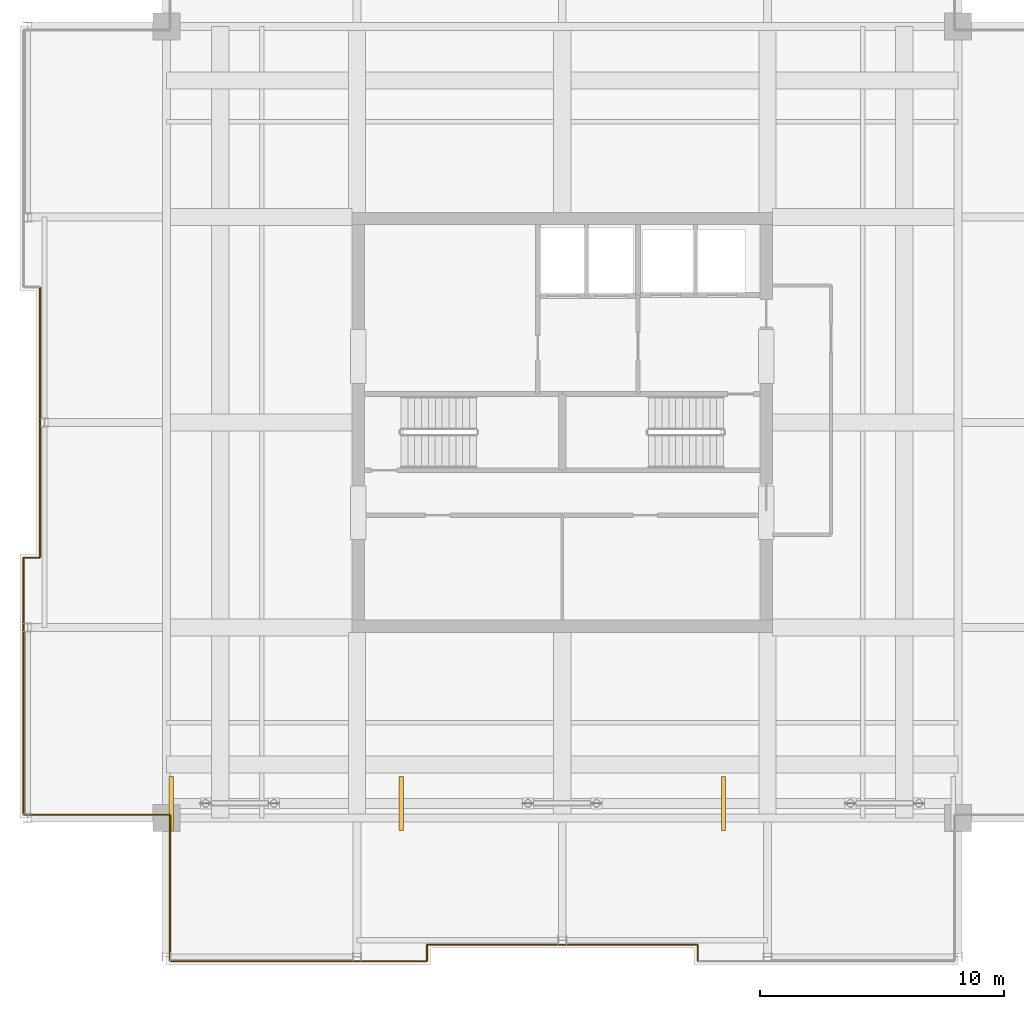
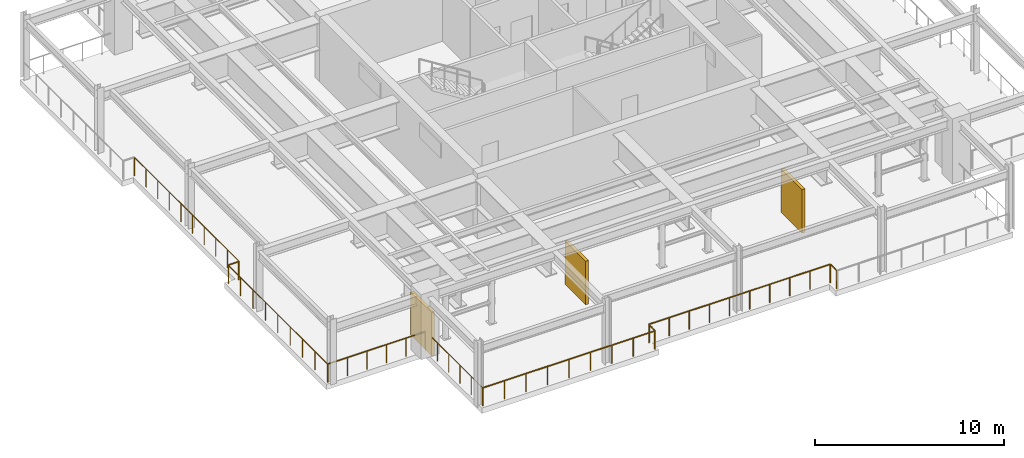
# One storey, part 10 of 12: 9 railings, 3 shading devices.
"""IFC4 building model written with IfcOpenShell, lengths in metres."""

from ifc_helpers import new_model, si_unit, direction, frame, origin, origin_2d, place, context, subcontext, project, spatial, rectangle, circle, extrude, material, layer, layer_set, type_object, element, save


model = new_model("IFC4")

# Units and contexts
model_context = context("Model", 3, precision=1e-05, world=origin(), true_north=direction((0.0, 1.0)))
body_context = subcontext(model_context, "Body", "Model", "MODEL_VIEW")
ifc_project = project(units=[si_unit("LENGTHUNIT", "METRE"), si_unit("AREAUNIT", "SQUARE_METRE"), si_unit("VOLUMEUNIT", "CUBIC_METRE"), si_unit("PLANEANGLEUNIT", "RADIAN"), si_unit("MASSUNIT", "GRAM", prefix="KILO")], contexts=[model_context])

# Site, building, storey
site_placement = place(None, origin())
site = spatial("IfcSite", under=ifc_project, at=site_placement, CompositionType="ELEMENT")
building_placement = place(site_placement, origin())
building = spatial("IfcBuilding", under=site, at=building_placement, Name="Drelvath Grand Hotel", CompositionType="ELEMENT")
storey_placement = place(building_placement, frame((0.0, 0.0, 307.199951171875)))
storey = spatial("IfcBuildingStorey", under=building, at=storey_placement, Name="L80", CompositionType="ELEMENT", Elevation=307.199951171875)

# Shading devices
ifc_material_1 = material(Name="Pale-Metal Anodised Aluminium Louvre", Category="aluminium")
ifc_layer = layer(ifc_material_1, 0.179931640625)
ifc_layer_set = layer_set([ifc_layer], Name="Pale-Metal Anodised Aluminium Louvre")
shading_device_type = type_object("IfcShadingDeviceType", Name="Mechanical Acoustic Weather Louvre Pale-Metal 180", PredefinedType="USERDEFINED", material=ifc_layer_set)
for number, where, z_axis, x_axis, name in (
    (1, (-16.0, 11.39990234375, 0.0), (0.0, 0.0, 1.0), (1.0, 0.0, 0.0), "L80 Wind-Turbine Acoustic Shroud Louvre 1"),
    (2, (-6.60009765625, 11.39990234375, 0.0), (0.0, 0.0, 1.0), (1.0, 0.0, 0.0), "L80 Wind-Turbine Acoustic Shroud Louvre 2"),
    (3, (6.60009765625, 11.39990234375, 0.0), (0.0, 0.0, 1.0), (1.0, 0.0, 0.0), "L80 Wind-Turbine Acoustic Shroud Louvre 3"),
):
    element("IfcShadingDevice", number, at=place(storey_placement, frame(where, z_axis=z_axis, x_axis=x_axis)), inside=storey, type_object=shading_device_type, Name=name, ObjectType="LOUVRE", PredefinedType="USERDEFINED", context=body_context, shape_type="SweptSolid", body=[
        extrude(rectangle(XDim=0.179931640625, YDim=2.199951171875, at=origin_2d()), origin(), (0.0, 0.0, 1.0), 2.800048828125),
    ])

# Railings
ifc_material_2 = material(Name="Stainless Steel Grade 316 Guardrail", Category="steel")
railing_type = type_object("IfcRailingType", Name="Open Wind-Slot Perimeter Guardrail 1200", PredefinedType="GUARDRAIL", material=ifc_material_2)
railing_1_placement = place(storey_placement, frame((-16.06005859375, 4.9619140625, 0.0)))
element("IfcRailing", 4, at=railing_1_placement, inside=storey, type_object=railing_type, Name="L80 Open Wind-Turbine Deck Perimeter Guardrail E01", PredefinedType="GUARDRAIL", context=body_context, shape_type="SweptSolid", body=[
    extrude(circle(Radius=0.02392578125, at=origin_2d()), frame((0.0, 0.0, 1.17578125), z_axis=(0.0, 1.0, 0.0), x_axis=(-1.0, 0.0, 0.0)), (0.0, 0.0, 1.0), 5.9560546875),
    extrude(circle(Radius=0.02099609375, at=origin_2d()), origin(), (0.0, 0.0, 1.0), 1.15185546875),
    extrude(circle(Radius=0.02099609375, at=origin_2d()), frame((0.0, 1.191162109375, 0.0)), (0.0, 0.0, 1.0), 1.15185546875),
    extrude(circle(Radius=0.02099609375, at=origin_2d()), frame((0.0, 2.38232421875, 0.0)), (0.0, 0.0, 1.0), 1.15185546875),
    extrude(circle(Radius=0.02099609375, at=origin_2d()), frame((0.0, 3.57373046875, 0.0)), (0.0, 0.0, 1.0), 1.15185546875),
    extrude(circle(Radius=0.02099609375, at=origin_2d()), frame((0.0, 4.764892578125, 0.0)), (0.0, 0.0, 1.0), 1.15185546875),
    extrude(circle(Radius=0.02099609375, at=origin_2d()), frame((0.0, 5.9560546875, 0.0)), (0.0, 0.0, 1.0), 1.15185546875),
])
railing_2_placement = place(storey_placement, frame((-16.08203125, 10.93994140625, 0.0)))
element("IfcRailing", 5, at=railing_2_placement, inside=storey, type_object=railing_type, Name="L80 Open Wind-Turbine Deck Perimeter Guardrail E02", PredefinedType="GUARDRAIL", context=body_context, shape_type="SweptSolid", body=[
    extrude(circle(Radius=0.02392578125, at=origin_2d()), frame((0.0, 0.0, 1.17578125), z_axis=(-1.0, 0.0, 0.0), x_axis=(0.0, -1.0, 0.0)), (0.0, 0.0, 1.0), 5.9560546875),
    extrude(circle(Radius=0.02099609375, at=origin_2d()), origin(), (0.0, 0.0, 1.0), 1.15185546875),
    extrude(circle(Radius=0.02099609375, at=origin_2d()), frame((-1.191162109375, 0.0, 0.0)), (0.0, 0.0, 1.0), 1.15185546875),
    extrude(circle(Radius=0.02099609375, at=origin_2d()), frame((-2.38232421875, 0.0, 0.0)), (0.0, 0.0, 1.0), 1.15185546875),
    extrude(circle(Radius=0.02099609375, at=origin_2d()), frame((-3.57373046875, 0.0, 0.0)), (0.0, 0.0, 1.0), 1.15185546875),
    extrude(circle(Radius=0.02099609375, at=origin_2d()), frame((-4.764892578125, 0.0, 0.0)), (0.0, 0.0, 1.0), 1.15185546875),
    extrude(circle(Radius=0.02099609375, at=origin_2d()), frame((-5.9560546875, 0.0, 0.0)), (0.0, 0.0, 1.0), 1.15185546875),
])
railing_3_placement = place(storey_placement, frame((-22.06005859375, 10.9619140625, 0.0)))
element("IfcRailing", 6, at=railing_3_placement, inside=storey, type_object=railing_type, Name="L80 Open Wind-Turbine Deck Perimeter Guardrail E03", PredefinedType="GUARDRAIL", context=body_context, shape_type="SweptSolid", body=[
    extrude(circle(Radius=0.02392578125, at=origin_2d()), frame((0.0, 0.0, 1.17578125), z_axis=(0.0, 1.0, 0.0), x_axis=(-1.0, 0.0, 0.0)), (0.0, 0.0, 1.0), 10.47607421875),
    extrude(circle(Radius=0.02099609375, at=origin_2d()), origin(), (0.0, 0.0, 1.0), 1.15185546875),
    extrude(circle(Radius=0.02099609375, at=origin_2d()), frame((0.0, 1.3095703125, 0.0)), (0.0, 0.0, 1.0), 1.15185546875),
    extrude(circle(Radius=0.02099609375, at=origin_2d()), frame((0.0, 2.619140625, 0.0)), (0.0, 0.0, 1.0), 1.15185546875),
    extrude(circle(Radius=0.02099609375, at=origin_2d()), frame((0.0, 3.928466796875, 0.0)), (0.0, 0.0, 1.0), 1.15185546875),
    extrude(circle(Radius=0.02099609375, at=origin_2d()), frame((0.0, 5.238037109375, 0.0)), (0.0, 0.0, 1.0), 1.15185546875),
    extrude(circle(Radius=0.02099609375, at=origin_2d()), frame((0.0, 6.547607421875, 0.0)), (0.0, 0.0, 1.0), 1.15185546875),
    extrude(circle(Radius=0.02099609375, at=origin_2d()), frame((0.0, 7.85693359375, 0.0)), (0.0, 0.0, 1.0), 1.15185546875),
    extrude(circle(Radius=0.02099609375, at=origin_2d()), frame((0.0, 9.16650390625, 0.0)), (0.0, 0.0, 1.0), 1.15185546875),
    extrude(circle(Radius=0.02099609375, at=origin_2d()), frame((0.0, 10.47607421875, 0.0)), (0.0, 0.0, 1.0), 1.15185546875),
])
railing_4_placement = place(storey_placement, frame((-22.0380859375, 21.4599609375, 0.0)))
element("IfcRailing", 7, at=railing_4_placement, inside=storey, type_object=railing_type, Name="L80 Open Wind-Turbine Deck Perimeter Guardrail E04", PredefinedType="GUARDRAIL", context=body_context, shape_type="SweptSolid", body=[
    extrude(circle(Radius=0.02392578125, at=origin_2d()), frame((0.0, 0.0, 1.17578125), z_axis=(1.0, 0.0, 0.0), x_axis=(0.0, 1.0, 0.0)), (0.0, 0.0, 1.0), 0.635986328125),
    extrude(circle(Radius=0.02099609375, at=origin_2d()), origin(), (0.0, 0.0, 1.0), 1.15185546875),
    extrude(circle(Radius=0.02099609375, at=origin_2d()), frame((0.635986328125, 0.0, 0.0)), (0.0, 0.0, 1.0), 1.15185546875),
])
railing_5_placement = place(storey_placement, frame((-21.3798828125, 21.48193359375, 0.0)))
element("IfcRailing", 8, at=railing_5_placement, inside=storey, type_object=railing_type, Name="L80 Open Wind-Turbine Deck Perimeter Guardrail E05", PredefinedType="GUARDRAIL", context=body_context, shape_type="SweptSolid", body=[
    extrude(circle(Radius=0.02392578125, at=origin_2d()), frame((0.0, 0.0, 1.17578125), z_axis=(0.0, 1.0, 0.0), x_axis=(-1.0, 0.0, 0.0)), (0.0, 0.0, 1.0), 11.0361328125),
    extrude(circle(Radius=0.02099609375, at=origin_2d()), origin(), (0.0, 0.0, 1.0), 1.15185546875),
    extrude(circle(Radius=0.02099609375, at=origin_2d()), frame((0.0, 1.226318359375, 0.0)), (0.0, 0.0, 1.0), 1.15185546875),
    extrude(circle(Radius=0.02099609375, at=origin_2d()), frame((0.0, 2.452392578125, 0.0)), (0.0, 0.0, 1.0), 1.15185546875),
    extrude(circle(Radius=0.02099609375, at=origin_2d()), frame((0.0, 3.6787109375, 0.0)), (0.0, 0.0, 1.0), 1.15185546875),
    extrude(circle(Radius=0.02099609375, at=origin_2d()), frame((0.0, 4.905029296875, 0.0)), (0.0, 0.0, 1.0), 1.15185546875),
    extrude(circle(Radius=0.02099609375, at=origin_2d()), frame((0.0, 6.131103515625, 0.0)), (0.0, 0.0, 1.0), 1.15185546875),
    extrude(circle(Radius=0.02099609375, at=origin_2d()), frame((0.0, 7.357421875, 0.0)), (0.0, 0.0, 1.0), 1.15185546875),
    extrude(circle(Radius=0.02099609375, at=origin_2d()), frame((0.0, 8.583740234375, 0.0)), (0.0, 0.0, 1.0), 1.15185546875),
    extrude(circle(Radius=0.02099609375, at=origin_2d()), frame((0.0, 9.809814453125, 0.0)), (0.0, 0.0, 1.0), 1.15185546875),
    extrude(circle(Radius=0.02099609375, at=origin_2d()), frame((0.0, 11.0361328125, 0.0)), (0.0, 0.0, 1.0), 1.15185546875),
])
railing_6_placement = place(storey_placement, frame((5.5400390625, 4.9619140625, 0.0)))
element("IfcRailing", 9, at=railing_6_placement, inside=storey, type_object=railing_type, Name="L80 Open Wind-Turbine Deck Perimeter Guardrail E25", PredefinedType="GUARDRAIL", context=body_context, shape_type="SweptSolid", body=[
    extrude(circle(Radius=0.02392578125, at=origin_2d()), frame((0.0, 0.0, 1.17578125), z_axis=(0.0, 1.0, 0.0), x_axis=(-1.0, 0.0, 0.0)), (0.0, 0.0, 1.0), 0.635986328125),
    extrude(circle(Radius=0.02099609375, at=origin_2d()), origin(), (0.0, 0.0, 1.0), 1.15185546875),
    extrude(circle(Radius=0.02099609375, at=origin_2d()), frame((0.0, 0.635986328125, 0.0)), (0.0, 0.0, 1.0), 1.15185546875),
])
railing_7_placement = place(storey_placement, frame((5.51806640625, 5.6201171875, 0.0)))
element("IfcRailing", 10, at=railing_7_placement, inside=storey, type_object=railing_type, Name="L80 Open Wind-Turbine Deck Perimeter Guardrail E26", PredefinedType="GUARDRAIL", context=body_context, shape_type="SweptSolid", body=[
    extrude(circle(Radius=0.02392578125, at=origin_2d()), frame((0.0, 0.0, 1.17578125), z_axis=(-1.0, 0.0, 0.0), x_axis=(0.0, -1.0, 0.0)), (0.0, 0.0, 1.0), 11.0361328125),
    extrude(circle(Radius=0.02099609375, at=origin_2d()), origin(), (0.0, 0.0, 1.0), 1.15185546875),
    extrude(circle(Radius=0.02099609375, at=origin_2d()), frame((-1.226318359375, 0.0, 0.0)), (0.0, 0.0, 1.0), 1.15185546875),
    extrude(circle(Radius=0.02099609375, at=origin_2d()), frame((-2.452392578125, 0.0, 0.0)), (0.0, 0.0, 1.0), 1.15185546875),
    extrude(circle(Radius=0.02099609375, at=origin_2d()), frame((-3.6787109375, 0.0, 0.0)), (0.0, 0.0, 1.0), 1.15185546875),
    extrude(circle(Radius=0.02099609375, at=origin_2d()), frame((-4.905029296875, 0.0, 0.0)), (0.0, 0.0, 1.0), 1.15185546875),
    extrude(circle(Radius=0.02099609375, at=origin_2d()), frame((-6.131103515625, 0.0, 0.0)), (0.0, 0.0, 1.0), 1.15185546875),
    extrude(circle(Radius=0.02099609375, at=origin_2d()), frame((-7.357421875, 0.0, 0.0)), (0.0, 0.0, 1.0), 1.15185546875),
    extrude(circle(Radius=0.02099609375, at=origin_2d()), frame((-8.583740234375, 0.0, 0.0)), (0.0, 0.0, 1.0), 1.15185546875),
    extrude(circle(Radius=0.02099609375, at=origin_2d()), frame((-9.809814453125, 0.0, 0.0)), (0.0, 0.0, 1.0), 1.15185546875),
    extrude(circle(Radius=0.02099609375, at=origin_2d()), frame((-11.0361328125, 0.0, 0.0)), (0.0, 0.0, 1.0), 1.15185546875),
])
railing_8_placement = place(storey_placement, frame((-5.5400390625, 5.597900390625, 0.0)))
element("IfcRailing", 11, at=railing_8_placement, inside=storey, type_object=railing_type, Name="L80 Open Wind-Turbine Deck Perimeter Guardrail E27", PredefinedType="GUARDRAIL", context=body_context, shape_type="SweptSolid", body=[
    extrude(circle(Radius=0.02392578125, at=origin_2d()), frame((0.0, 0.0, 1.17578125), z_axis=(0.0, -1.0, 0.0), x_axis=(1.0, 0.0, 0.0)), (0.0, 0.0, 1.0), 0.635986328125),
    extrude(circle(Radius=0.02099609375, at=origin_2d()), origin(), (0.0, 0.0, 1.0), 1.15185546875),
    extrude(circle(Radius=0.02099609375, at=origin_2d()), frame((0.0, -0.635986328125, 0.0)), (0.0, 0.0, 1.0), 1.15185546875),
])
railing_9_placement = place(storey_placement, frame((-5.56201171875, 4.93994140625, 0.0)))
element("IfcRailing", 12, at=railing_9_placement, inside=storey, type_object=railing_type, Name="L80 Open Wind-Turbine Deck Perimeter Guardrail E28", PredefinedType="GUARDRAIL", context=body_context, shape_type="SweptSolid", body=[
    extrude(circle(Radius=0.02392578125, at=origin_2d()), frame((0.0, 0.0, 1.17578125), z_axis=(-1.0, 0.0, 0.0), x_axis=(0.0, -1.0, 0.0)), (0.0, 0.0, 1.0), 10.47607421875),
    extrude(circle(Radius=0.02099609375, at=origin_2d()), origin(), (0.0, 0.0, 1.0), 1.15185546875),
    extrude(circle(Radius=0.02099609375, at=origin_2d()), frame((-1.3095703125, 0.0, 0.0)), (0.0, 0.0, 1.0), 1.15185546875),
    extrude(circle(Radius=0.02099609375, at=origin_2d()), frame((-2.619140625, 0.0, 0.0)), (0.0, 0.0, 1.0), 1.15185546875),
    extrude(circle(Radius=0.02099609375, at=origin_2d()), frame((-3.928466796875, 0.0, 0.0)), (0.0, 0.0, 1.0), 1.15185546875),
    extrude(circle(Radius=0.02099609375, at=origin_2d()), frame((-5.238037109375, 0.0, 0.0)), (0.0, 0.0, 1.0), 1.15185546875),
    extrude(circle(Radius=0.02099609375, at=origin_2d()), frame((-6.547607421875, 0.0, 0.0)), (0.0, 0.0, 1.0), 1.15185546875),
    extrude(circle(Radius=0.02099609375, at=origin_2d()), frame((-7.85693359375, 0.0, 0.0)), (0.0, 0.0, 1.0), 1.15185546875),
    extrude(circle(Radius=0.02099609375, at=origin_2d()), frame((-9.16650390625, 0.0, 0.0)), (0.0, 0.0, 1.0), 1.15185546875),
    extrude(circle(Radius=0.02099609375, at=origin_2d()), frame((-10.47607421875, 0.0, 0.0)), (0.0, 0.0, 1.0), 1.15185546875),
])

save(model, "model.ifc")
